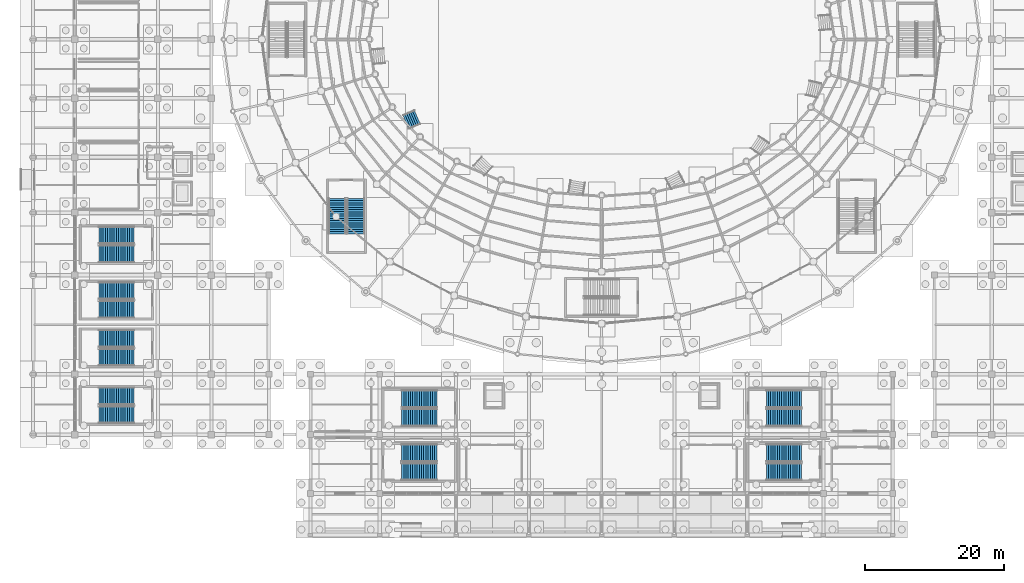
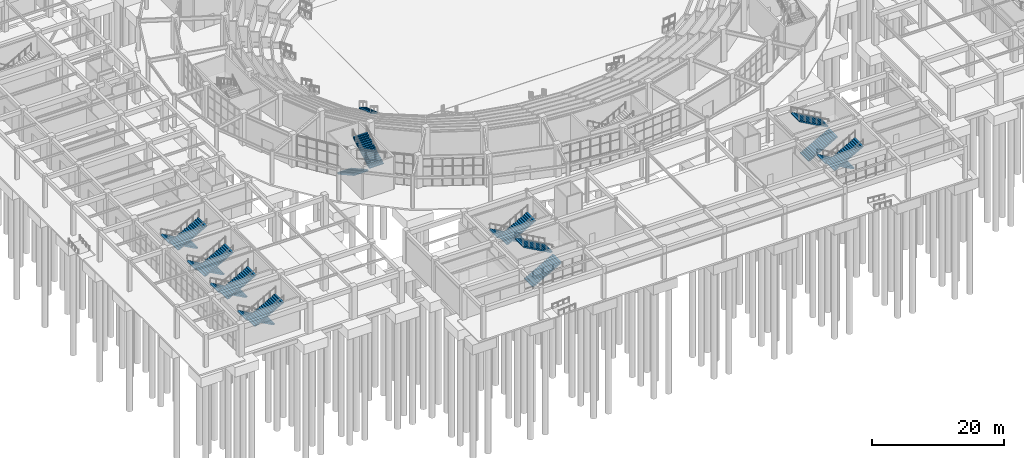
# One storey, part 96 of 121: 19 stair flights, 10 elements without a shape of their own.
"""IFC4 building model written with IfcOpenShell, lengths in metres."""

from ifc_helpers import new_model, si_unit, direction, frame, origin, place, context, subcontext, project, spatial, polyline, outline, extrude, material, type_object, element, aggregate, save


model = new_model("IFC4")

# Units and contexts
model_context = context("Model", 3, precision=1e-05, world=origin(), true_north=direction((0.0, 1.0)))
body_context = subcontext(model_context, "Body", "Model", "MODEL_VIEW")
ifc_project = project(units=[si_unit("LENGTHUNIT", "METRE"), si_unit("AREAUNIT", "SQUARE_METRE"), si_unit("VOLUMEUNIT", "CUBIC_METRE"), si_unit("PLANEANGLEUNIT", "RADIAN"), si_unit("MASSUNIT", "GRAM", prefix="KILO")], contexts=[model_context])

# Site, building, storey
site_placement = place(None, origin())
site = spatial("IfcSite", under=ifc_project, at=site_placement, CompositionType="ELEMENT")
building_placement = place(site_placement, origin())
building = spatial("IfcBuilding", under=site, at=building_placement, Name="Cuetzalor Civic Arena", CompositionType="ELEMENT")
storey_placement = place(building_placement, origin())
storey = spatial("IfcBuildingStorey", under=building, at=storey_placement, Name="L00", CompositionType="ELEMENT", Elevation=0.0)

# Stair, stair flights
ifc_material_1 = material(Name="Precast concrete C40/50", Category="concrete")
stair_type_1 = type_object("IfcStairType", Name="EnclosedExitStair_H600", PredefinedType="HALF_TURN_STAIR", material=ifc_material_1)
stair_1_placement = place(storey_placement, origin())
stair_1 = element("IfcStair", 1, at=stair_1_placement, inside=storey, type_object=stair_type_1, Name="L00 Enclosed Exit Stair ST-06", PredefinedType="HALF_TURN_STAIR")
ifc_material_2 = material(Name="Precast concrete C40/50", Category="concrete")
stair_flight_type_1 = type_object("IfcStairFlightType", Name="ExitStairFlight_H600", PredefinedType="STRAIGHT", material=ifc_material_2)
stair_flight_1_placement = place(storey_placement, frame((-38.14990234375, -22.949951171875, 0.0), z_axis=(0.0, 0.0, 1.0), x_axis=(0.0, -1.0, 0.0)))
stair_flight_1 = element("IfcStairFlight", 2, at=stair_flight_1_placement, type_object=stair_flight_type_1, Name="ST-06 flight 1", NumberOfRisers=17, NumberOfTreads=16, PredefinedType="STRAIGHT", RiserHeight=0.176470588, TreadLength=0.318, context=body_context, shape_type="SweptSolid", body=[
    extrude(outline(polyline([(0.0, 0.0), (0.0, 0.176513671875), (0.318115234375, 0.176513671875), (0.318115234375, 0.35302734375), (0.635986328125, 0.35302734375), (0.635986328125, 0.529296875), (0.9541015625, 0.529296875), (0.9541015625, 0.705810546875), (1.27197265625, 0.705810546875), (1.27197265625, 0.88232421875), (1.590087890625, 0.88232421875), (1.590087890625, 1.058837890625), (1.907958984375, 1.058837890625), (1.907958984375, 1.2353515625), (2.22607421875, 1.2353515625), (2.22607421875, 1.411865234375), (2.5439453125, 1.411865234375), (2.5439453125, 1.588134765625), (2.862060546875, 1.588134765625), (2.862060546875, 1.7646484375), (3.179931640625, 1.7646484375), (3.179931640625, 1.941162109375), (3.498046875, 1.941162109375), (3.498046875, 2.11767578125), (3.81591796875, 2.11767578125), (3.81591796875, 2.294189453125), (4.134033203125, 2.294189453125), (4.134033203125, 2.470703125), (4.451904296875, 2.470703125), (4.451904296875, 2.64697265625), (4.77001953125, 2.64697265625), (4.77001953125, 2.823486328125), (5.087890625, 2.823486328125), (5.087890625, 3.0), (5.087890625, 2.61767578125), (0.370849609375, 0.0), (0.0, 0.0)])), frame((0.0, 1.25, 0.0), z_axis=(0.0, -1.0, 0.0), x_axis=(1.0, 0.0, 0.0)), (0.0, 0.0, 1.0), 2.5),
])
stair_flight_2_placement = place(storey_placement, frame((-35.449951171875, -28.0380859375, 3.0), z_axis=(0.0, 0.0, 1.0), x_axis=(0.0, 1.0, 0.0)))
stair_flight_2 = element("IfcStairFlight", 3, at=stair_flight_2_placement, type_object=stair_flight_type_1, Name="ST-06 flight 2", NumberOfRisers=17, NumberOfTreads=16, PredefinedType="STRAIGHT", RiserHeight=0.176470588, TreadLength=0.318, context=body_context, shape_type="SweptSolid", body=[
    extrude(outline(polyline([(0.0, 0.0), (0.0, 0.176513671875), (0.318115234375, 0.176513671875), (0.318115234375, 0.35302734375), (0.635986328125, 0.35302734375), (0.635986328125, 0.529296875), (0.9541015625, 0.529296875), (0.9541015625, 0.705810546875), (1.27197265625, 0.705810546875), (1.27197265625, 0.88232421875), (1.590087890625, 0.88232421875), (1.590087890625, 1.058837890625), (1.907958984375, 1.058837890625), (1.907958984375, 1.2353515625), (2.22607421875, 1.2353515625), (2.22607421875, 1.411865234375), (2.5439453125, 1.411865234375), (2.5439453125, 1.588134765625), (2.862060546875, 1.588134765625), (2.862060546875, 1.7646484375), (3.179931640625, 1.7646484375), (3.179931640625, 1.941162109375), (3.498046875, 1.941162109375), (3.498046875, 2.11767578125), (3.81591796875, 2.11767578125), (3.81591796875, 2.294189453125), (4.134033203125, 2.294189453125), (4.134033203125, 2.470703125), (4.451904296875, 2.470703125), (4.451904296875, 2.64697265625), (4.77001953125, 2.64697265625), (4.77001953125, 2.823486328125), (5.087890625, 2.823486328125), (5.087890625, 3.0), (5.087890625, 2.61767578125), (0.370849609375, 0.0), (0.0, 0.0)])), frame((0.0, 1.25, 0.0), z_axis=(0.0, -1.0, 0.0), x_axis=(1.0, 0.0, 0.0)), (0.0, 0.0, 1.0), 2.5),
])
aggregate(stair_1, [stair_flight_1, stair_flight_2])

stair_2_placement = place(storey_placement, origin())
stair_2 = element("IfcStair", 4, at=stair_2_placement, inside=storey, type_object=stair_type_1, Name="L00 Enclosed Exit Stair ST-09", PredefinedType="HALF_TURN_STAIR")
stair_flight_3_placement = place(storey_placement, frame((-28.85009765625, -62.35009765625, 0.0), z_axis=(0.0, 0.0, 1.0), x_axis=(1.0, 0.0, 0.0)))
stair_flight_3 = element("IfcStairFlight", 5, at=stair_flight_3_placement, type_object=stair_flight_type_1, Name="ST-09 flight 1", NumberOfRisers=17, NumberOfTreads=16, PredefinedType="STRAIGHT", RiserHeight=0.176470588, TreadLength=0.318, context=body_context, shape_type="SweptSolid", body=[
    extrude(outline(polyline([(0.0, 0.0), (0.0, 0.176513671875), (0.318115234375, 0.176513671875), (0.318115234375, 0.35302734375), (0.635986328125, 0.35302734375), (0.635986328125, 0.529296875), (0.9541015625, 0.529296875), (0.9541015625, 0.705810546875), (1.27197265625, 0.705810546875), (1.27197265625, 0.88232421875), (1.590087890625, 0.88232421875), (1.590087890625, 1.058837890625), (1.907958984375, 1.058837890625), (1.907958984375, 1.2353515625), (2.22607421875, 1.2353515625), (2.22607421875, 1.411865234375), (2.5439453125, 1.411865234375), (2.5439453125, 1.588134765625), (2.862060546875, 1.588134765625), (2.862060546875, 1.7646484375), (3.179931640625, 1.7646484375), (3.179931640625, 1.941162109375), (3.498046875, 1.941162109375), (3.498046875, 2.11767578125), (3.81591796875, 2.11767578125), (3.81591796875, 2.294189453125), (4.134033203125, 2.294189453125), (4.134033203125, 2.470703125), (4.451904296875, 2.470703125), (4.451904296875, 2.64697265625), (4.77001953125, 2.64697265625), (4.77001953125, 2.823486328125), (5.087890625, 2.823486328125), (5.087890625, 3.0), (5.087890625, 2.61767578125), (0.370849609375, 0.0), (0.0, 0.0)])), frame((0.0, 1.25, 0.0), z_axis=(0.0, -1.0, 0.0), x_axis=(1.0, 0.0, 0.0)), (0.0, 0.0, 1.0), 2.5),
])
stair_flight_4_placement = place(storey_placement, frame((-23.761962890625, -59.64990234375, 3.0), z_axis=(0.0, 0.0, 1.0), x_axis=(-1.0, 0.0, 0.0)))
stair_flight_4 = element("IfcStairFlight", 6, at=stair_flight_4_placement, type_object=stair_flight_type_1, Name="ST-09 flight 2", NumberOfRisers=17, NumberOfTreads=16, PredefinedType="STRAIGHT", RiserHeight=0.176470588, TreadLength=0.318, context=body_context, shape_type="SweptSolid", body=[
    extrude(outline(polyline([(0.0, 0.0), (0.0, 0.176513671875), (0.318115234375, 0.176513671875), (0.318115234375, 0.35302734375), (0.635986328125, 0.35302734375), (0.635986328125, 0.529296875), (0.9541015625, 0.529296875), (0.9541015625, 0.705810546875), (1.27197265625, 0.705810546875), (1.27197265625, 0.88232421875), (1.590087890625, 0.88232421875), (1.590087890625, 1.058837890625), (1.907958984375, 1.058837890625), (1.907958984375, 1.2353515625), (2.22607421875, 1.2353515625), (2.22607421875, 1.411865234375), (2.5439453125, 1.411865234375), (2.5439453125, 1.588134765625), (2.862060546875, 1.588134765625), (2.862060546875, 1.7646484375), (3.179931640625, 1.7646484375), (3.179931640625, 1.941162109375), (3.498046875, 1.941162109375), (3.498046875, 2.11767578125), (3.81591796875, 2.11767578125), (3.81591796875, 2.294189453125), (4.134033203125, 2.294189453125), (4.134033203125, 2.470703125), (4.451904296875, 2.470703125), (4.451904296875, 2.64697265625), (4.77001953125, 2.64697265625), (4.77001953125, 2.823486328125), (5.087890625, 2.823486328125), (5.087890625, 3.0), (5.087890625, 2.61767578125), (0.370849609375, 0.0), (0.0, 0.0)])), frame((0.0, 1.25, 0.0), z_axis=(0.0, -1.0, 0.0), x_axis=(1.0, 0.0, 0.0)), (0.0, 0.0, 1.0), 2.5),
])
aggregate(stair_2, [stair_flight_3, stair_flight_4])

stair_3_placement = place(storey_placement, origin())
stair_3 = element("IfcStair", 7, at=stair_3_placement, inside=storey, type_object=stair_type_1, Name="L00 Enclosed Exit Stair ST-10", PredefinedType="HALF_TURN_STAIR")
stair_flight_5_placement = place(storey_placement, frame((-23.75, -51.85009765625, 0.0), z_axis=(0.0, 0.0, 1.0), x_axis=(-1.0, 0.0, 0.0)))
stair_flight_5 = element("IfcStairFlight", 8, at=stair_flight_5_placement, type_object=stair_flight_type_1, Name="ST-10 flight 1", NumberOfRisers=17, NumberOfTreads=16, PredefinedType="STRAIGHT", RiserHeight=0.176470588, TreadLength=0.318, context=body_context, shape_type="SweptSolid", body=[
    extrude(outline(polyline([(0.0, 0.0), (0.0, 0.176513671875), (0.318115234375, 0.176513671875), (0.318115234375, 0.35302734375), (0.635986328125, 0.35302734375), (0.635986328125, 0.529296875), (0.9541015625, 0.529296875), (0.9541015625, 0.705810546875), (1.27197265625, 0.705810546875), (1.27197265625, 0.88232421875), (1.590087890625, 0.88232421875), (1.590087890625, 1.058837890625), (1.907958984375, 1.058837890625), (1.907958984375, 1.2353515625), (2.22607421875, 1.2353515625), (2.22607421875, 1.411865234375), (2.5439453125, 1.411865234375), (2.5439453125, 1.588134765625), (2.862060546875, 1.588134765625), (2.862060546875, 1.7646484375), (3.179931640625, 1.7646484375), (3.179931640625, 1.941162109375), (3.498046875, 1.941162109375), (3.498046875, 2.11767578125), (3.81591796875, 2.11767578125), (3.81591796875, 2.294189453125), (4.134033203125, 2.294189453125), (4.134033203125, 2.470703125), (4.451904296875, 2.470703125), (4.451904296875, 2.64697265625), (4.77001953125, 2.64697265625), (4.77001953125, 2.823486328125), (5.087890625, 2.823486328125), (5.087890625, 3.0), (5.087890625, 2.61767578125), (0.370849609375, 0.0), (0.0, 0.0)])), frame((0.0, 1.25, 0.0), z_axis=(0.0, -1.0, 0.0), x_axis=(1.0, 0.0, 0.0)), (0.0, 0.0, 1.0), 2.5),
])
stair_flight_6_placement = place(storey_placement, frame((-28.837890625, -54.550048828125, 3.0), z_axis=(0.0, 0.0, 1.0), x_axis=(1.0, 0.0, 0.0)))
stair_flight_6 = element("IfcStairFlight", 9, at=stair_flight_6_placement, type_object=stair_flight_type_1, Name="ST-10 flight 2", NumberOfRisers=17, NumberOfTreads=16, PredefinedType="STRAIGHT", RiserHeight=0.176470588, TreadLength=0.318, context=body_context, shape_type="SweptSolid", body=[
    extrude(outline(polyline([(0.0, 0.0), (0.0, 0.176513671875), (0.318115234375, 0.176513671875), (0.318115234375, 0.35302734375), (0.635986328125, 0.35302734375), (0.635986328125, 0.529296875), (0.9541015625, 0.529296875), (0.9541015625, 0.705810546875), (1.27197265625, 0.705810546875), (1.27197265625, 0.88232421875), (1.590087890625, 0.88232421875), (1.590087890625, 1.058837890625), (1.907958984375, 1.058837890625), (1.907958984375, 1.2353515625), (2.22607421875, 1.2353515625), (2.22607421875, 1.411865234375), (2.5439453125, 1.411865234375), (2.5439453125, 1.588134765625), (2.862060546875, 1.588134765625), (2.862060546875, 1.7646484375), (3.179931640625, 1.7646484375), (3.179931640625, 1.941162109375), (3.498046875, 1.941162109375), (3.498046875, 2.11767578125), (3.81591796875, 2.11767578125), (3.81591796875, 2.294189453125), (4.134033203125, 2.294189453125), (4.134033203125, 2.470703125), (4.451904296875, 2.470703125), (4.451904296875, 2.64697265625), (4.77001953125, 2.64697265625), (4.77001953125, 2.823486328125), (5.087890625, 2.823486328125), (5.087890625, 3.0), (5.087890625, 2.61767578125), (0.370849609375, 0.0), (0.0, 0.0)])), frame((0.0, 1.25, 0.0), z_axis=(0.0, -1.0, 0.0), x_axis=(1.0, 0.0, 0.0)), (0.0, 0.0, 1.0), 2.5),
])
aggregate(stair_3, [stair_flight_5, stair_flight_6])

stair_4_placement = place(storey_placement, origin())
stair_4 = element("IfcStair", 10, at=stair_4_placement, inside=storey, type_object=stair_type_1, Name="L00 Enclosed Exit Stair ST-11", PredefinedType="HALF_TURN_STAIR")
stair_flight_7_placement = place(storey_placement, frame((23.75, -54.550048828125, 0.0), z_axis=(0.0, 0.0, 1.0), x_axis=(1.0, 0.0, 0.0)))
stair_flight_7 = element("IfcStairFlight", 11, at=stair_flight_7_placement, type_object=stair_flight_type_1, Name="ST-11 flight 1", NumberOfRisers=17, NumberOfTreads=16, PredefinedType="STRAIGHT", RiserHeight=0.176470588, TreadLength=0.318, context=body_context, shape_type="SweptSolid", body=[
    extrude(outline(polyline([(0.0, 0.0), (0.0, 0.176513671875), (0.318115234375, 0.176513671875), (0.318115234375, 0.35302734375), (0.635986328125, 0.35302734375), (0.635986328125, 0.529296875), (0.9541015625, 0.529296875), (0.9541015625, 0.705810546875), (1.27197265625, 0.705810546875), (1.27197265625, 0.88232421875), (1.590087890625, 0.88232421875), (1.590087890625, 1.058837890625), (1.907958984375, 1.058837890625), (1.907958984375, 1.2353515625), (2.22607421875, 1.2353515625), (2.22607421875, 1.411865234375), (2.5439453125, 1.411865234375), (2.5439453125, 1.588134765625), (2.862060546875, 1.588134765625), (2.862060546875, 1.7646484375), (3.179931640625, 1.7646484375), (3.179931640625, 1.941162109375), (3.498046875, 1.941162109375), (3.498046875, 2.11767578125), (3.81591796875, 2.11767578125), (3.81591796875, 2.294189453125), (4.134033203125, 2.294189453125), (4.134033203125, 2.470703125), (4.451904296875, 2.470703125), (4.451904296875, 2.64697265625), (4.77001953125, 2.64697265625), (4.77001953125, 2.823486328125), (5.087890625, 2.823486328125), (5.087890625, 3.0), (5.087890625, 2.61767578125), (0.370849609375, 0.0), (0.0, 0.0)])), frame((0.0, 1.25, 0.0), z_axis=(0.0, -1.0, 0.0), x_axis=(1.0, 0.0, 0.0)), (0.0, 0.0, 1.0), 2.5),
])
stair_flight_8_placement = place(storey_placement, frame((28.837890625, -51.85009765625, 3.0), z_axis=(0.0, 0.0, 1.0), x_axis=(-1.0, 0.0, 0.0)))
stair_flight_8 = element("IfcStairFlight", 12, at=stair_flight_8_placement, type_object=stair_flight_type_1, Name="ST-11 flight 2", NumberOfRisers=17, NumberOfTreads=16, PredefinedType="STRAIGHT", RiserHeight=0.176470588, TreadLength=0.318, context=body_context, shape_type="SweptSolid", body=[
    extrude(outline(polyline([(0.0, 0.0), (0.0, 0.176513671875), (0.318115234375, 0.176513671875), (0.318115234375, 0.35302734375), (0.635986328125, 0.35302734375), (0.635986328125, 0.529296875), (0.9541015625, 0.529296875), (0.9541015625, 0.705810546875), (1.27197265625, 0.705810546875), (1.27197265625, 0.88232421875), (1.590087890625, 0.88232421875), (1.590087890625, 1.058837890625), (1.907958984375, 1.058837890625), (1.907958984375, 1.2353515625), (2.22607421875, 1.2353515625), (2.22607421875, 1.411865234375), (2.5439453125, 1.411865234375), (2.5439453125, 1.588134765625), (2.862060546875, 1.588134765625), (2.862060546875, 1.7646484375), (3.179931640625, 1.7646484375), (3.179931640625, 1.941162109375), (3.498046875, 1.941162109375), (3.498046875, 2.11767578125), (3.81591796875, 2.11767578125), (3.81591796875, 2.294189453125), (4.134033203125, 2.294189453125), (4.134033203125, 2.470703125), (4.451904296875, 2.470703125), (4.451904296875, 2.64697265625), (4.77001953125, 2.64697265625), (4.77001953125, 2.823486328125), (5.087890625, 2.823486328125), (5.087890625, 3.0), (5.087890625, 2.61767578125), (0.370849609375, 0.0), (0.0, 0.0)])), frame((0.0, 1.25, 0.0), z_axis=(0.0, -1.0, 0.0), x_axis=(1.0, 0.0, 0.0)), (0.0, 0.0, 1.0), 2.5),
])
aggregate(stair_4, [stair_flight_7, stair_flight_8])

stair_5_placement = place(storey_placement, origin())
stair_5 = element("IfcStair", 13, at=stair_5_placement, inside=storey, type_object=stair_type_1, Name="L00 Enclosed Exit Stair ST-12", PredefinedType="HALF_TURN_STAIR")
stair_flight_9_placement = place(storey_placement, frame((28.85009765625, -59.64990234375, 0.0), z_axis=(0.0, 0.0, 1.0), x_axis=(-1.0, 0.0, 0.0)))
stair_flight_9 = element("IfcStairFlight", 14, at=stair_flight_9_placement, type_object=stair_flight_type_1, Name="ST-12 flight 1", NumberOfRisers=17, NumberOfTreads=16, PredefinedType="STRAIGHT", RiserHeight=0.176470588, TreadLength=0.318, context=body_context, shape_type="SweptSolid", body=[
    extrude(outline(polyline([(0.0, 0.0), (0.0, 0.176513671875), (0.318115234375, 0.176513671875), (0.318115234375, 0.35302734375), (0.635986328125, 0.35302734375), (0.635986328125, 0.529296875), (0.9541015625, 0.529296875), (0.9541015625, 0.705810546875), (1.27197265625, 0.705810546875), (1.27197265625, 0.88232421875), (1.590087890625, 0.88232421875), (1.590087890625, 1.058837890625), (1.907958984375, 1.058837890625), (1.907958984375, 1.2353515625), (2.22607421875, 1.2353515625), (2.22607421875, 1.411865234375), (2.5439453125, 1.411865234375), (2.5439453125, 1.588134765625), (2.862060546875, 1.588134765625), (2.862060546875, 1.7646484375), (3.179931640625, 1.7646484375), (3.179931640625, 1.941162109375), (3.498046875, 1.941162109375), (3.498046875, 2.11767578125), (3.81591796875, 2.11767578125), (3.81591796875, 2.294189453125), (4.134033203125, 2.294189453125), (4.134033203125, 2.470703125), (4.451904296875, 2.470703125), (4.451904296875, 2.64697265625), (4.77001953125, 2.64697265625), (4.77001953125, 2.823486328125), (5.087890625, 2.823486328125), (5.087890625, 3.0), (5.087890625, 2.61767578125), (0.370849609375, 0.0), (0.0, 0.0)])), frame((0.0, 1.25, 0.0), z_axis=(0.0, -1.0, 0.0), x_axis=(1.0, 0.0, 0.0)), (0.0, 0.0, 1.0), 2.5),
])
stair_flight_10_placement = place(storey_placement, frame((23.761962890625, -62.35009765625, 3.0), z_axis=(0.0, 0.0, 1.0), x_axis=(1.0, 0.0, 0.0)))
stair_flight_10 = element("IfcStairFlight", 15, at=stair_flight_10_placement, type_object=stair_flight_type_1, Name="ST-12 flight 2", NumberOfRisers=17, NumberOfTreads=16, PredefinedType="STRAIGHT", RiserHeight=0.176470588, TreadLength=0.318, context=body_context, shape_type="SweptSolid", body=[
    extrude(outline(polyline([(0.0, 0.0), (0.0, 0.176513671875), (0.318115234375, 0.176513671875), (0.318115234375, 0.35302734375), (0.635986328125, 0.35302734375), (0.635986328125, 0.529296875), (0.9541015625, 0.529296875), (0.9541015625, 0.705810546875), (1.27197265625, 0.705810546875), (1.27197265625, 0.88232421875), (1.590087890625, 0.88232421875), (1.590087890625, 1.058837890625), (1.907958984375, 1.058837890625), (1.907958984375, 1.2353515625), (2.22607421875, 1.2353515625), (2.22607421875, 1.411865234375), (2.5439453125, 1.411865234375), (2.5439453125, 1.588134765625), (2.862060546875, 1.588134765625), (2.862060546875, 1.7646484375), (3.179931640625, 1.7646484375), (3.179931640625, 1.941162109375), (3.498046875, 1.941162109375), (3.498046875, 2.11767578125), (3.81591796875, 2.11767578125), (3.81591796875, 2.294189453125), (4.134033203125, 2.294189453125), (4.134033203125, 2.470703125), (4.451904296875, 2.470703125), (4.451904296875, 2.64697265625), (4.77001953125, 2.64697265625), (4.77001953125, 2.823486328125), (5.087890625, 2.823486328125), (5.087890625, 3.0), (5.087890625, 2.61767578125), (0.370849609375, 0.0), (0.0, 0.0)])), frame((0.0, 1.25, 0.0), z_axis=(0.0, -1.0, 0.0), x_axis=(1.0, 0.0, 0.0)), (0.0, 0.0, 1.0), 2.5),
])
aggregate(stair_5, [stair_flight_9, stair_flight_10])

stair_6_placement = place(storey_placement, origin())
stair_6 = element("IfcStair", 16, at=stair_6_placement, inside=storey, type_object=stair_type_1, Name="L00 Enclosed Exit Stair ST-13", PredefinedType="HALF_TURN_STAIR")
stair_flight_11_placement = place(storey_placement, frame((-67.449951171875, -51.449951171875, 0.0), z_axis=(0.0, 0.0, 1.0), x_axis=(-1.0, 0.0, 0.0)))
stair_flight_11 = element("IfcStairFlight", 17, at=stair_flight_11_placement, type_object=stair_flight_type_1, Name="ST-13 flight 1", NumberOfRisers=17, NumberOfTreads=16, PredefinedType="STRAIGHT", RiserHeight=0.176470588, TreadLength=0.318, context=body_context, shape_type="SweptSolid", body=[
    extrude(outline(polyline([(0.0, 0.0), (0.0, 0.176513671875), (0.318115234375, 0.176513671875), (0.318115234375, 0.35302734375), (0.635986328125, 0.35302734375), (0.635986328125, 0.529296875), (0.9541015625, 0.529296875), (0.9541015625, 0.705810546875), (1.27197265625, 0.705810546875), (1.27197265625, 0.88232421875), (1.590087890625, 0.88232421875), (1.590087890625, 1.058837890625), (1.907958984375, 1.058837890625), (1.907958984375, 1.2353515625), (2.22607421875, 1.2353515625), (2.22607421875, 1.411865234375), (2.5439453125, 1.411865234375), (2.5439453125, 1.588134765625), (2.862060546875, 1.588134765625), (2.862060546875, 1.7646484375), (3.179931640625, 1.7646484375), (3.179931640625, 1.941162109375), (3.498046875, 1.941162109375), (3.498046875, 2.11767578125), (3.81591796875, 2.11767578125), (3.81591796875, 2.294189453125), (4.134033203125, 2.294189453125), (4.134033203125, 2.470703125), (4.451904296875, 2.470703125), (4.451904296875, 2.64697265625), (4.77001953125, 2.64697265625), (4.77001953125, 2.823486328125), (5.087890625, 2.823486328125), (5.087890625, 3.0), (5.087890625, 2.61767578125), (0.370849609375, 0.0), (0.0, 0.0)])), frame((0.0, 1.25, 0.0), z_axis=(0.0, -1.0, 0.0), x_axis=(1.0, 0.0, 0.0)), (0.0, 0.0, 1.0), 2.5),
])
stair_flight_12_placement = place(storey_placement, frame((-72.5380859375, -54.14990234375, 3.0), z_axis=(0.0, 0.0, 1.0), x_axis=(1.0, 0.0, 0.0)))
stair_flight_12 = element("IfcStairFlight", 18, at=stair_flight_12_placement, type_object=stair_flight_type_1, Name="ST-13 flight 2", NumberOfRisers=17, NumberOfTreads=16, PredefinedType="STRAIGHT", RiserHeight=0.176470588, TreadLength=0.318, context=body_context, shape_type="SweptSolid", body=[
    extrude(outline(polyline([(0.0, 0.0), (0.0, 0.176513671875), (0.318115234375, 0.176513671875), (0.318115234375, 0.35302734375), (0.635986328125, 0.35302734375), (0.635986328125, 0.529296875), (0.9541015625, 0.529296875), (0.9541015625, 0.705810546875), (1.27197265625, 0.705810546875), (1.27197265625, 0.88232421875), (1.590087890625, 0.88232421875), (1.590087890625, 1.058837890625), (1.907958984375, 1.058837890625), (1.907958984375, 1.2353515625), (2.22607421875, 1.2353515625), (2.22607421875, 1.411865234375), (2.5439453125, 1.411865234375), (2.5439453125, 1.588134765625), (2.862060546875, 1.588134765625), (2.862060546875, 1.7646484375), (3.179931640625, 1.7646484375), (3.179931640625, 1.941162109375), (3.498046875, 1.941162109375), (3.498046875, 2.11767578125), (3.81591796875, 2.11767578125), (3.81591796875, 2.294189453125), (4.134033203125, 2.294189453125), (4.134033203125, 2.470703125), (4.451904296875, 2.470703125), (4.451904296875, 2.64697265625), (4.77001953125, 2.64697265625), (4.77001953125, 2.823486328125), (5.087890625, 2.823486328125), (5.087890625, 3.0), (5.087890625, 2.61767578125), (0.370849609375, 0.0), (0.0, 0.0)])), frame((0.0, 1.25, 0.0), z_axis=(0.0, -1.0, 0.0), x_axis=(1.0, 0.0, 0.0)), (0.0, 0.0, 1.0), 2.5),
])
aggregate(stair_6, [stair_flight_11, stair_flight_12])

stair_7_placement = place(storey_placement, origin())
stair_7 = element("IfcStair", 19, at=stair_7_placement, inside=storey, type_object=stair_type_1, Name="L00 Enclosed Exit Stair ST-14", PredefinedType="HALF_TURN_STAIR")
stair_flight_13_placement = place(storey_placement, frame((-67.449951171875, -43.14990234375, 0.0), z_axis=(0.0, 0.0, 1.0), x_axis=(-1.0, 0.0, 0.0)))
stair_flight_13 = element("IfcStairFlight", 20, at=stair_flight_13_placement, type_object=stair_flight_type_1, Name="ST-14 flight 1", NumberOfRisers=17, NumberOfTreads=16, PredefinedType="STRAIGHT", RiserHeight=0.176470588, TreadLength=0.318, context=body_context, shape_type="SweptSolid", body=[
    extrude(outline(polyline([(0.0, 0.0), (0.0, 0.176513671875), (0.318115234375, 0.176513671875), (0.318115234375, 0.35302734375), (0.635986328125, 0.35302734375), (0.635986328125, 0.529296875), (0.9541015625, 0.529296875), (0.9541015625, 0.705810546875), (1.27197265625, 0.705810546875), (1.27197265625, 0.88232421875), (1.590087890625, 0.88232421875), (1.590087890625, 1.058837890625), (1.907958984375, 1.058837890625), (1.907958984375, 1.2353515625), (2.22607421875, 1.2353515625), (2.22607421875, 1.411865234375), (2.5439453125, 1.411865234375), (2.5439453125, 1.588134765625), (2.862060546875, 1.588134765625), (2.862060546875, 1.7646484375), (3.179931640625, 1.7646484375), (3.179931640625, 1.941162109375), (3.498046875, 1.941162109375), (3.498046875, 2.11767578125), (3.81591796875, 2.11767578125), (3.81591796875, 2.294189453125), (4.134033203125, 2.294189453125), (4.134033203125, 2.470703125), (4.451904296875, 2.470703125), (4.451904296875, 2.64697265625), (4.77001953125, 2.64697265625), (4.77001953125, 2.823486328125), (5.087890625, 2.823486328125), (5.087890625, 3.0), (5.087890625, 2.61767578125), (0.370849609375, 0.0), (0.0, 0.0)])), frame((0.0, 1.25, 0.0), z_axis=(0.0, -1.0, 0.0), x_axis=(1.0, 0.0, 0.0)), (0.0, 0.0, 1.0), 2.5),
])
stair_flight_14_placement = place(storey_placement, frame((-72.5380859375, -45.85009765625, 3.0), z_axis=(0.0, 0.0, 1.0), x_axis=(1.0, 0.0, 0.0)))
stair_flight_14 = element("IfcStairFlight", 21, at=stair_flight_14_placement, type_object=stair_flight_type_1, Name="ST-14 flight 2", NumberOfRisers=17, NumberOfTreads=16, PredefinedType="STRAIGHT", RiserHeight=0.176470588, TreadLength=0.318, context=body_context, shape_type="SweptSolid", body=[
    extrude(outline(polyline([(0.0, 0.0), (0.0, 0.176513671875), (0.318115234375, 0.176513671875), (0.318115234375, 0.35302734375), (0.635986328125, 0.35302734375), (0.635986328125, 0.529296875), (0.9541015625, 0.529296875), (0.9541015625, 0.705810546875), (1.27197265625, 0.705810546875), (1.27197265625, 0.88232421875), (1.590087890625, 0.88232421875), (1.590087890625, 1.058837890625), (1.907958984375, 1.058837890625), (1.907958984375, 1.2353515625), (2.22607421875, 1.2353515625), (2.22607421875, 1.411865234375), (2.5439453125, 1.411865234375), (2.5439453125, 1.588134765625), (2.862060546875, 1.588134765625), (2.862060546875, 1.7646484375), (3.179931640625, 1.7646484375), (3.179931640625, 1.941162109375), (3.498046875, 1.941162109375), (3.498046875, 2.11767578125), (3.81591796875, 2.11767578125), (3.81591796875, 2.294189453125), (4.134033203125, 2.294189453125), (4.134033203125, 2.470703125), (4.451904296875, 2.470703125), (4.451904296875, 2.64697265625), (4.77001953125, 2.64697265625), (4.77001953125, 2.823486328125), (5.087890625, 2.823486328125), (5.087890625, 3.0), (5.087890625, 2.61767578125), (0.370849609375, 0.0), (0.0, 0.0)])), frame((0.0, 1.25, 0.0), z_axis=(0.0, -1.0, 0.0), x_axis=(1.0, 0.0, 0.0)), (0.0, 0.0, 1.0), 2.5),
])
aggregate(stair_7, [stair_flight_13, stair_flight_14])

stair_8_placement = place(storey_placement, origin())
stair_8 = element("IfcStair", 22, at=stair_8_placement, inside=storey, type_object=stair_type_1, Name="L00 Enclosed Exit Stair ST-15", PredefinedType="HALF_TURN_STAIR")
stair_flight_15_placement = place(storey_placement, frame((-67.449951171875, -36.25, 0.0), z_axis=(0.0, 0.0, 1.0), x_axis=(-1.0, 0.0, 0.0)))
stair_flight_15 = element("IfcStairFlight", 23, at=stair_flight_15_placement, type_object=stair_flight_type_1, Name="ST-15 flight 1", NumberOfRisers=17, NumberOfTreads=16, PredefinedType="STRAIGHT", RiserHeight=0.176470588, TreadLength=0.318, context=body_context, shape_type="SweptSolid", body=[
    extrude(outline(polyline([(0.0, 0.0), (0.0, 0.176513671875), (0.318115234375, 0.176513671875), (0.318115234375, 0.35302734375), (0.635986328125, 0.35302734375), (0.635986328125, 0.529296875), (0.9541015625, 0.529296875), (0.9541015625, 0.705810546875), (1.27197265625, 0.705810546875), (1.27197265625, 0.88232421875), (1.590087890625, 0.88232421875), (1.590087890625, 1.058837890625), (1.907958984375, 1.058837890625), (1.907958984375, 1.2353515625), (2.22607421875, 1.2353515625), (2.22607421875, 1.411865234375), (2.5439453125, 1.411865234375), (2.5439453125, 1.588134765625), (2.862060546875, 1.588134765625), (2.862060546875, 1.7646484375), (3.179931640625, 1.7646484375), (3.179931640625, 1.941162109375), (3.498046875, 1.941162109375), (3.498046875, 2.11767578125), (3.81591796875, 2.11767578125), (3.81591796875, 2.294189453125), (4.134033203125, 2.294189453125), (4.134033203125, 2.470703125), (4.451904296875, 2.470703125), (4.451904296875, 2.64697265625), (4.77001953125, 2.64697265625), (4.77001953125, 2.823486328125), (5.087890625, 2.823486328125), (5.087890625, 3.0), (5.087890625, 2.61767578125), (0.370849609375, 0.0), (0.0, 0.0)])), frame((0.0, 1.25, 0.0), z_axis=(0.0, -1.0, 0.0), x_axis=(1.0, 0.0, 0.0)), (0.0, 0.0, 1.0), 2.5),
])
stair_flight_16_placement = place(storey_placement, frame((-72.5380859375, -38.949951171875, 3.0), z_axis=(0.0, 0.0, 1.0), x_axis=(1.0, 0.0, 0.0)))
stair_flight_16 = element("IfcStairFlight", 24, at=stair_flight_16_placement, type_object=stair_flight_type_1, Name="ST-15 flight 2", NumberOfRisers=17, NumberOfTreads=16, PredefinedType="STRAIGHT", RiserHeight=0.176470588, TreadLength=0.318, context=body_context, shape_type="SweptSolid", body=[
    extrude(outline(polyline([(0.0, 0.0), (0.0, 0.176513671875), (0.318115234375, 0.176513671875), (0.318115234375, 0.35302734375), (0.635986328125, 0.35302734375), (0.635986328125, 0.529296875), (0.9541015625, 0.529296875), (0.9541015625, 0.705810546875), (1.27197265625, 0.705810546875), (1.27197265625, 0.88232421875), (1.590087890625, 0.88232421875), (1.590087890625, 1.058837890625), (1.907958984375, 1.058837890625), (1.907958984375, 1.2353515625), (2.22607421875, 1.2353515625), (2.22607421875, 1.411865234375), (2.5439453125, 1.411865234375), (2.5439453125, 1.588134765625), (2.862060546875, 1.588134765625), (2.862060546875, 1.7646484375), (3.179931640625, 1.7646484375), (3.179931640625, 1.941162109375), (3.498046875, 1.941162109375), (3.498046875, 2.11767578125), (3.81591796875, 2.11767578125), (3.81591796875, 2.294189453125), (4.134033203125, 2.294189453125), (4.134033203125, 2.470703125), (4.451904296875, 2.470703125), (4.451904296875, 2.64697265625), (4.77001953125, 2.64697265625), (4.77001953125, 2.823486328125), (5.087890625, 2.823486328125), (5.087890625, 3.0), (5.087890625, 2.61767578125), (0.370849609375, 0.0), (0.0, 0.0)])), frame((0.0, 1.25, 0.0), z_axis=(0.0, -1.0, 0.0), x_axis=(1.0, 0.0, 0.0)), (0.0, 0.0, 1.0), 2.5),
])
aggregate(stair_8, [stair_flight_15, stair_flight_16])

stair_9_placement = place(storey_placement, origin())
stair_9 = element("IfcStair", 25, at=stair_9_placement, inside=storey, type_object=stair_type_1, Name="L00 Enclosed Exit Stair ST-16", PredefinedType="HALF_TURN_STAIR")
stair_flight_17_placement = place(storey_placement, frame((-67.449951171875, -28.25, 0.0), z_axis=(0.0, 0.0, 1.0), x_axis=(-1.0, 0.0, 0.0)))
stair_flight_17 = element("IfcStairFlight", 26, at=stair_flight_17_placement, type_object=stair_flight_type_1, Name="ST-16 flight 1", NumberOfRisers=17, NumberOfTreads=16, PredefinedType="STRAIGHT", RiserHeight=0.176470588, TreadLength=0.318, context=body_context, shape_type="SweptSolid", body=[
    extrude(outline(polyline([(0.0, 0.0), (0.0, 0.176513671875), (0.318115234375, 0.176513671875), (0.318115234375, 0.35302734375), (0.635986328125, 0.35302734375), (0.635986328125, 0.529296875), (0.9541015625, 0.529296875), (0.9541015625, 0.705810546875), (1.27197265625, 0.705810546875), (1.27197265625, 0.88232421875), (1.590087890625, 0.88232421875), (1.590087890625, 1.058837890625), (1.907958984375, 1.058837890625), (1.907958984375, 1.2353515625), (2.22607421875, 1.2353515625), (2.22607421875, 1.411865234375), (2.5439453125, 1.411865234375), (2.5439453125, 1.588134765625), (2.862060546875, 1.588134765625), (2.862060546875, 1.7646484375), (3.179931640625, 1.7646484375), (3.179931640625, 1.941162109375), (3.498046875, 1.941162109375), (3.498046875, 2.11767578125), (3.81591796875, 2.11767578125), (3.81591796875, 2.294189453125), (4.134033203125, 2.294189453125), (4.134033203125, 2.470703125), (4.451904296875, 2.470703125), (4.451904296875, 2.64697265625), (4.77001953125, 2.64697265625), (4.77001953125, 2.823486328125), (5.087890625, 2.823486328125), (5.087890625, 3.0), (5.087890625, 2.61767578125), (0.370849609375, 0.0), (0.0, 0.0)])), frame((0.0, 1.25, 0.0), z_axis=(0.0, -1.0, 0.0), x_axis=(1.0, 0.0, 0.0)), (0.0, 0.0, 1.0), 2.5),
])
stair_flight_18_placement = place(storey_placement, frame((-72.5380859375, -30.949951171875, 3.0), z_axis=(0.0, 0.0, 1.0), x_axis=(1.0, 0.0, 0.0)))
stair_flight_18 = element("IfcStairFlight", 27, at=stair_flight_18_placement, type_object=stair_flight_type_1, Name="ST-16 flight 2", NumberOfRisers=17, NumberOfTreads=16, PredefinedType="STRAIGHT", RiserHeight=0.176470588, TreadLength=0.318, context=body_context, shape_type="SweptSolid", body=[
    extrude(outline(polyline([(0.0, 0.0), (0.0, 0.176513671875), (0.318115234375, 0.176513671875), (0.318115234375, 0.35302734375), (0.635986328125, 0.35302734375), (0.635986328125, 0.529296875), (0.9541015625, 0.529296875), (0.9541015625, 0.705810546875), (1.27197265625, 0.705810546875), (1.27197265625, 0.88232421875), (1.590087890625, 0.88232421875), (1.590087890625, 1.058837890625), (1.907958984375, 1.058837890625), (1.907958984375, 1.2353515625), (2.22607421875, 1.2353515625), (2.22607421875, 1.411865234375), (2.5439453125, 1.411865234375), (2.5439453125, 1.588134765625), (2.862060546875, 1.588134765625), (2.862060546875, 1.7646484375), (3.179931640625, 1.7646484375), (3.179931640625, 1.941162109375), (3.498046875, 1.941162109375), (3.498046875, 2.11767578125), (3.81591796875, 2.11767578125), (3.81591796875, 2.294189453125), (4.134033203125, 2.294189453125), (4.134033203125, 2.470703125), (4.451904296875, 2.470703125), (4.451904296875, 2.64697265625), (4.77001953125, 2.64697265625), (4.77001953125, 2.823486328125), (5.087890625, 2.823486328125), (5.087890625, 3.0), (5.087890625, 2.61767578125), (0.370849609375, 0.0), (0.0, 0.0)])), frame((0.0, 1.25, 0.0), z_axis=(0.0, -1.0, 0.0), x_axis=(1.0, 0.0, 0.0)), (0.0, 0.0, 1.0), 2.5),
])
aggregate(stair_9, [stair_flight_17, stair_flight_18])

# Stair, stair flight
ifc_material_3 = material(Name="Precast concrete C40/50", Category="concrete")
stair_type_2 = type_object("IfcStairType", Name="BowlVomitoryStair_W220", PredefinedType="STRAIGHT_RUN_STAIR", material=ifc_material_3)
stair_10_placement = place(storey_placement, origin())
stair_10 = element("IfcStair", 28, at=stair_10_placement, inside=storey, type_object=stair_type_2, Name="Lower Bowl Radial Vomitory Stair VST-09", PredefinedType="STRAIGHT_RUN_STAIR")
ifc_material_4 = material(Name="Precast concrete C40/50", Category="concrete")
stair_flight_type_2 = type_object("IfcStairFlightType", Name="VomitoryStairFlight_220", PredefinedType="STRAIGHT", material=ifc_material_4)
stair_flight_19_placement = place(storey_placement, frame((-26.583984375, -11.218994140625, 0.0), z_axis=(0.0, 0.0, 1.0), x_axis=(-0.921314393302, -0.388818452102, 0.0)))
stair_flight_19 = element("IfcStairFlight", 29, at=stair_flight_19_placement, type_object=stair_flight_type_2, Name="VST-09 flight 1", NumberOfRisers=7, NumberOfTreads=6, PredefinedType="STRAIGHT", RiserHeight=0.171429, TreadLength=0.3, context=body_context, shape_type="SweptSolid", body=[
    extrude(outline(polyline([(0.0, 0.0), (0.0, 0.17138671875), (0.300048828125, 0.17138671875), (0.300048828125, 0.3427734375), (0.60009765625, 0.3427734375), (0.60009765625, 0.514404296875), (0.89990234375, 0.514404296875), (0.89990234375, 0.685791015625), (1.199951171875, 0.685791015625), (1.199951171875, 0.857177734375), (1.5, 0.857177734375), (1.5, 1.028564453125), (1.800048828125, 1.028564453125), (1.800048828125, 1.199951171875), (1.800048828125, 0.844482421875), (0.322265625, 0.0), (0.0, 0.0)])), frame((0.0, 1.10009765625, 0.0), z_axis=(0.0, -1.0, 0.0), x_axis=(1.0, 0.0, 0.0)), (0.0, 0.0, 1.0), 2.199951171875),
])
aggregate(stair_10, [stair_flight_19])

save(model, "model.ifc")
